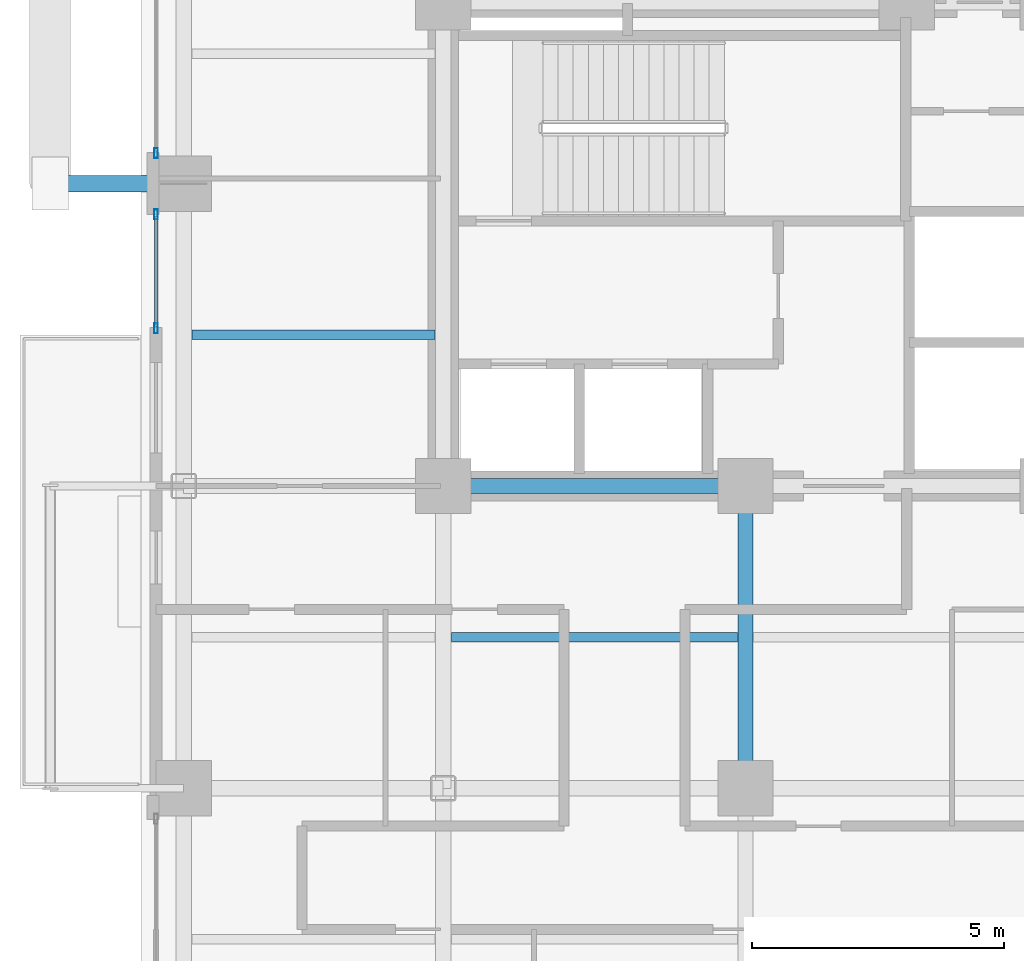
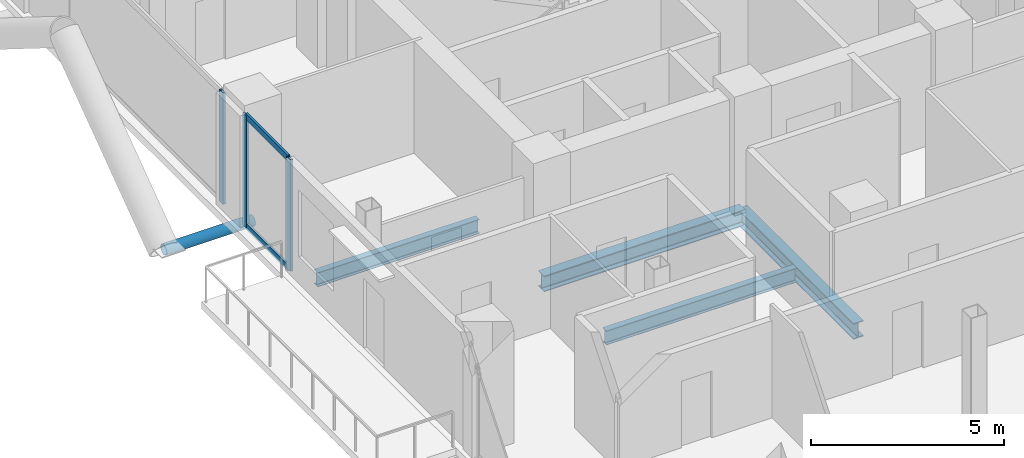
# One storey, part 6 of 24: 6 members, 4 beams, 2 elements without a shape of their own.
"""IFC4 building model written with IfcOpenShell, lengths in metres."""

from ifc_helpers import new_model, si_unit, direction, frame, origin, origin_2d, place, context, subcontext, project, spatial, hollow_rectangle, hollow_circle, i_section, extrude, material, layer, layer_set, material_profile, profile_set, type_object, element, aggregate, save


model = new_model("IFC4")

# Units and contexts
model_context = context("Model", 3, precision=1e-05, world=origin(), true_north=direction((0.0, 1.0)))
body_context = subcontext(model_context, "Body", "Model", "MODEL_VIEW")
ifc_project = project(units=[si_unit("LENGTHUNIT", "METRE"), si_unit("AREAUNIT", "SQUARE_METRE"), si_unit("VOLUMEUNIT", "CUBIC_METRE"), si_unit("PLANEANGLEUNIT", "RADIAN"), si_unit("MASSUNIT", "GRAM", prefix="KILO"), si_unit("THERMODYNAMICTEMPERATUREUNIT", "KELVIN"), si_unit("POWERUNIT", "WATT")], contexts=[model_context])

# Site, building, storey
site_placement = place(None, origin())
site = spatial("IfcSite", under=ifc_project, at=site_placement, CompositionType="ELEMENT")
building_placement = place(site_placement, origin())
building = spatial("IfcBuilding", under=site, at=building_placement, Name="Svarakhadi Broadcast Tower", CompositionType="ELEMENT")
storey_placement = place(building_placement, frame((0.0, 0.0, 145.64990234375)))
storey = spatial("IfcBuildingStorey", under=building, at=storey_placement, Name="L35", CompositionType="ELEMENT", Elevation=145.64990234375)

# Beams
ifc_material_1 = material(Name="Steel S355J2 (IS 2062 E350C)", Category="steel")
ifc_material_profile_1 = material_profile(ifc_material_1, i_section(OverallWidth=0.18994140625, OverallDepth=0.449951171875, WebThickness=0.009521484375, FlangeThickness=0.0146484375, FilletRadius=0.02099609375, at=origin_2d()), Name="NPB 450x190x78")
ifc_profile_set_1 = profile_set([ifc_material_profile_1], Name="Steel S355J2 (IS 2062 E350C)")
beam_type_1 = type_object("IfcBeamType", Name="Beam_NPB450", PredefinedType="BEAM", material=ifc_profile_set_1)
beam_1_placement = place(storey_placement, frame((1.010009765625, 21.0, -0.449951171875), z_axis=(1.0, 0.0, 0.0), x_axis=(0.0, 1.0, 0.0)))
element("IfcBeam", 1, at=beam_1_placement, inside=storey, type_object=beam_type_1, Name="L35 Secondary Composite Beam SB003", PredefinedType="BEAM", context=body_context, shape_type="SweptSolid", body=[
    extrude(i_section(OverallWidth=0.18994140625, OverallDepth=0.449951171875, WebThickness=0.009521484375, FlangeThickness=0.0146484375, FilletRadius=0.02099609375, at=origin_2d()), origin(), (0.0, 0.0, 1.0), 4.830078125),
])
beam_2_placement = place(storey_placement, frame((6.159912109375, 15.0, -0.449951171875), z_axis=(1.0, 0.0, 0.0), x_axis=(0.0, 1.0, 0.0)))
element("IfcBeam", 2, at=beam_2_placement, inside=storey, type_object=beam_type_1, Name="L35 Secondary Composite Beam SB008", PredefinedType="BEAM", context=body_context, shape_type="SweptSolid", body=[
    extrude(i_section(OverallWidth=0.18994140625, OverallDepth=0.449951171875, WebThickness=0.009521484375, FlangeThickness=0.0146484375, FilletRadius=0.02099609375, at=origin_2d()), origin(), (0.0, 0.0, 1.0), 5.68017578125),
])

# Curtain wall, members
ifc_material_2 = material(Name="Anodised Bronze Aluminium AA 6063-T6", Category="aluminium")
ifc_layer = layer(ifc_material_2, 0.199951171875)
ifc_layer_set = layer_set([ifc_layer], Name="Anodised Bronze Aluminium AA 6063-T6")
curtain_wall_type = type_object("IfcCurtainWallType", Name="CW_Sys_03", PredefinedType="NOTDEFINED", material=ifc_layer_set)
curtain_wall_1_placement = place(storey_placement, origin())
curtain_wall_1 = element("IfcCurtainWall", 3, at=curtain_wall_1_placement, inside=storey, type_object=curtain_wall_type, Name="L35 West Curtain Wall 03 Bay 1", PredefinedType="NOTDEFINED")
ifc_material_profile_2 = material_profile(ifc_material_2, hollow_rectangle(XDim=0.074951171875, YDim=0.199951171875, WallThickness=0.005615234375, at=origin_2d()), Name="ALU MULLION 200x75x6")
ifc_profile_set_2 = profile_set([ifc_material_profile_2], Name="Anodised Bronze Aluminium AA 6063-T6")
member_type_1 = type_object("IfcMemberType", Name="CW_Sys_03_Mul", PredefinedType="MULLION", material=ifc_profile_set_2)
member_1_placement = place(storey_placement, frame((0.300048828125, 21.12744140625, 0.0), z_axis=(0.0, 0.0, 1.0), x_axis=(-1.0, 0.0, 0.0)))
member_1 = element("IfcMember", 4, at=member_1_placement, type_object=member_type_1, Name="CW-03 mullion 1", PredefinedType="MULLION", context=body_context, shape_type="SweptSolid", body=[
    extrude(hollow_rectangle(XDim=0.074951171875, YDim=0.199951171875, WallThickness=0.005615234375, at=origin_2d()), origin(), (0.0, 0.0, 1.0), 3.525146484375),
])
member_2_placement = place(storey_placement, frame((0.300048828125, 23.392578125, 0.0), z_axis=(0.0, 0.0, 1.0), x_axis=(-1.0, 0.0, 0.0)))
member_2 = element("IfcMember", 5, at=member_2_placement, type_object=member_type_1, Name="CW-03 mullion 2", PredefinedType="MULLION", context=body_context, shape_type="SweptSolid", body=[
    extrude(hollow_rectangle(XDim=0.074951171875, YDim=0.199951171875, WallThickness=0.005615234375, at=origin_2d()), origin(), (0.0, 0.0, 1.0), 3.525146484375),
])

# Curtain wall, member
curtain_wall_2_placement = place(storey_placement, origin())
curtain_wall_2 = element("IfcCurtainWall", 6, at=curtain_wall_2_placement, inside=storey, type_object=curtain_wall_type, Name="L35 West Curtain Wall 03 Bay 2", PredefinedType="NOTDEFINED")
member_3_placement = place(storey_placement, frame((0.300048828125, 24.607421875, 0.0), z_axis=(0.0, 0.0, 1.0), x_axis=(-1.0, 0.0, 0.0)))
member_3 = element("IfcMember", 7, at=member_3_placement, type_object=member_type_1, Name="CW-03 mullion 1", PredefinedType="MULLION", context=body_context, shape_type="SweptSolid", body=[
    extrude(hollow_rectangle(XDim=0.074951171875, YDim=0.199951171875, WallThickness=0.005615234375, at=origin_2d()), origin(), (0.0, 0.0, 1.0), 3.525146484375),
])
aggregate(curtain_wall_2, [member_3])

# Member
ifc_material_profile_3 = material_profile(ifc_material_2, hollow_rectangle(XDim=0.070068359375, YDim=0.18505859375, WallThickness=0.0048828125, at=origin_2d()), Name="ALU TRANSOM 185x70x5")
ifc_profile_set_3 = profile_set([ifc_material_profile_3], Name="Anodised Bronze Aluminium AA 6063-T6")
member_type_2 = type_object("IfcMemberType", Name="CW_Sys_03_Trn", PredefinedType="USERDEFINED", material=ifc_profile_set_3)
member_4_placement = place(storey_placement, frame((0.300048828125, 21.1650390625, 0.03515625), z_axis=(0.0, 1.0, 0.0), x_axis=(-1.0, 0.0, 0.0)))
member_4 = element("IfcMember", 8, at=member_4_placement, type_object=member_type_2, Name="CW-03 transom 1.1", ObjectType="TRANSOM", PredefinedType="USERDEFINED", context=body_context, shape_type="SweptSolid", body=[
    extrude(hollow_rectangle(XDim=0.070068359375, YDim=0.18505859375, WallThickness=0.0048828125, at=origin_2d()), origin(), (0.0, 0.0, 1.0), 2.18994140625),
])

member_5_placement = place(storey_placement, frame((0.300048828125, 21.1650390625, 3.489990234375), z_axis=(0.0, 1.0, 0.0), x_axis=(-1.0, 0.0, 0.0)))
member_5 = element("IfcMember", 9, at=member_5_placement, type_object=member_type_2, Name="CW-03 transom 1.2", ObjectType="TRANSOM", PredefinedType="USERDEFINED", context=body_context, shape_type="SweptSolid", body=[
    extrude(hollow_rectangle(XDim=0.070068359375, YDim=0.18505859375, WallThickness=0.0048828125, at=origin_2d()), origin(), (0.0, 0.0, 1.0), 2.18994140625),
])

aggregate(curtain_wall_1, [member_1, member_2, member_4, member_5])

ifc_material_3 = material(Name="Steel S460ML (IS 2062 E450BR)", Category="steel")
ifc_material_profile_4 = material_profile(ifc_material_3, hollow_circle(Radius=0.161865234375, WallThickness=0.01611328125, at=origin_2d()), Name="CHS 323.9x16")
ifc_profile_set_4 = profile_set([ifc_material_profile_4], Name="Steel S460ML (IS 2062 E450BR)")
member_type_3 = type_object("IfcMemberType", Name="Exo_Radial_Strut_Z2", PredefinedType="STRUT", material=ifc_profile_set_4)
member_6_placement = place(storey_placement, frame((-1.800048828125, 24.0, -0.386962890625), z_axis=(1.0, 0.0, 0.0), x_axis=(0.0, 1.0, 0.0)))
element("IfcMember", 10, at=member_6_placement, inside=storey, type_object=member_type_3, Name="L35 Exoskeleton Radial Tie Strut W03", PredefinedType="STRUT", context=body_context, shape_type="SweptSolid", body=[
    extrude(hollow_circle(Radius=0.161865234375, WallThickness=0.01611328125, at=origin_2d()), origin(), (0.0, 0.0, 1.0), 2.650146484375),
])

# Beams
ifc_material_profile_5 = material_profile(ifc_material_1, i_section(OverallWidth=0.300048828125, OverallDepth=0.5, WebThickness=0.014404296875, FlangeThickness=0.028076171875, FilletRadius=0.027099609375, at=origin_2d()), Name="WPB 500x300x187")
ifc_profile_set_5 = profile_set([ifc_material_profile_5], Name="Steel S355J2 (IS 2062 E350C)")
beam_type_2 = type_object("IfcBeamType", Name="Girder_WPB500", PredefinedType="USERDEFINED", material=ifc_profile_set_5)
for number, where, z_axis, x_axis, name in (
    (11, (6.0, 18.0, -0.474853515625), (1.0, 0.0, 0.0), (0.0, 1.0, 0.0), "L35 Primary E-W Girder G024"),
    (12, (12.0, 12.0, -0.474853515625), (0.0, 1.0, 0.0), (-1.0, 0.0, 0.0), "L35 Primary N-S Girder G053"),
):
    element("IfcBeam", number, at=place(storey_placement, frame(where, z_axis=z_axis, x_axis=x_axis)), inside=storey, type_object=beam_type_2, Name=name, ObjectType="GIRDER", PredefinedType="USERDEFINED", context=body_context, shape_type="SweptSolid", body=[
        extrude(i_section(OverallWidth=0.300048828125, OverallDepth=0.5, WebThickness=0.014404296875, FlangeThickness=0.028076171875, FilletRadius=0.027099609375, at=origin_2d()), origin(), (0.0, 0.0, 1.0), 6.0),
    ])

save(model, "model.ifc")
